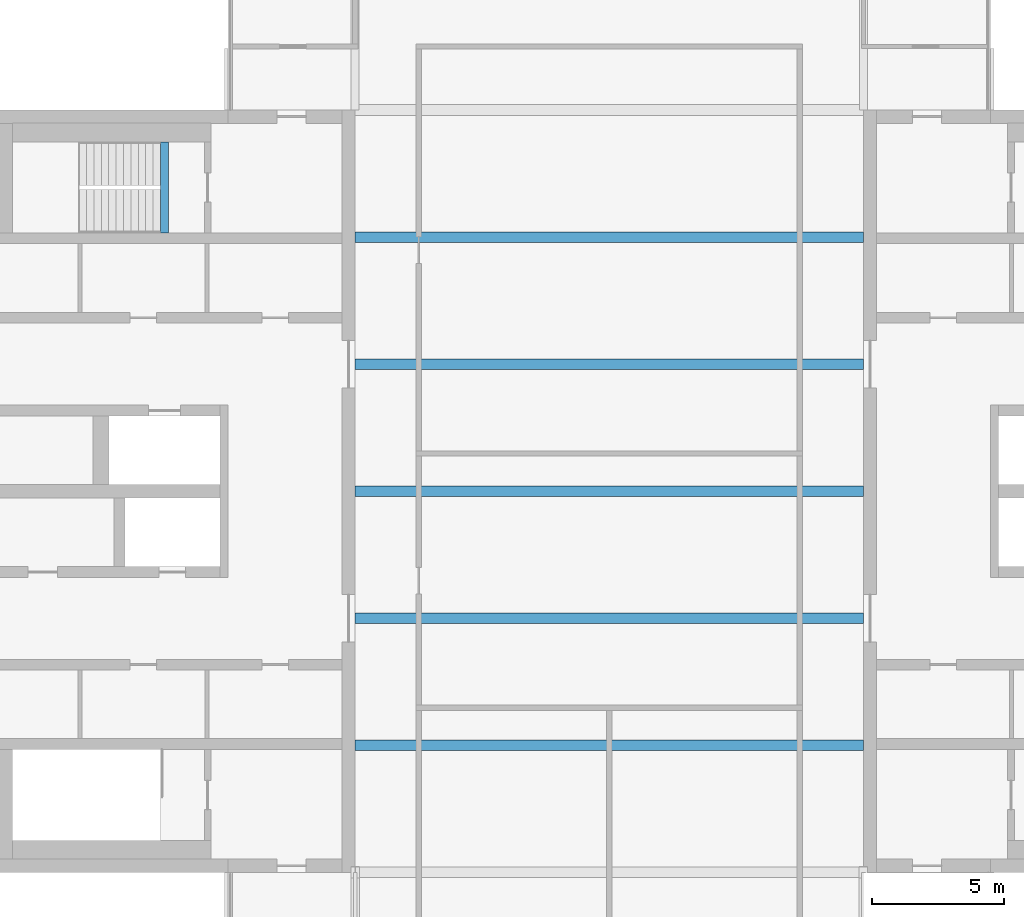
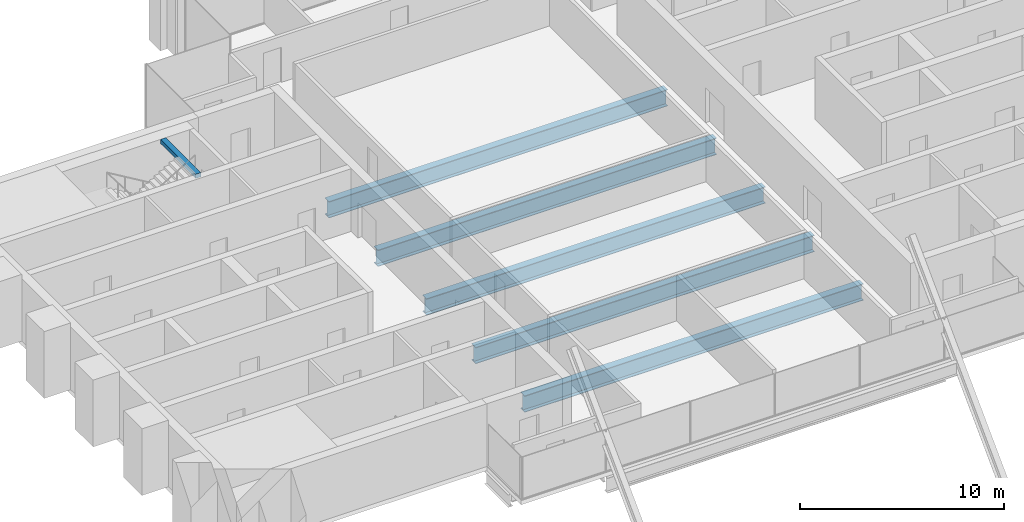
# One storey, part 3 of 11: 6 beams.
"""IFC4 building model written with IfcOpenShell, lengths in metres."""

from ifc_helpers import new_model, si_unit, direction, frame, origin, origin_2d, place, context, subcontext, project, spatial, rectangle, i_section, extrude, material, material_profile, profile_set, type_object, element, save


model = new_model("IFC4")

# Units and contexts
model_context = context("Model", 3, precision=1e-05, world=origin(), true_north=direction((0.0, 1.0)))
body_context = subcontext(model_context, "Body", "Model", "MODEL_VIEW")
ifc_project = project(units=[si_unit("LENGTHUNIT", "METRE"), si_unit("AREAUNIT", "SQUARE_METRE"), si_unit("VOLUMEUNIT", "CUBIC_METRE"), si_unit("PLANEANGLEUNIT", "RADIAN"), si_unit("MASSUNIT", "GRAM", prefix="KILO")], contexts=[model_context])

# Site, building, storey
site_placement = place(None, origin())
site = spatial("IfcSite", under=ifc_project, at=site_placement, CompositionType="ELEMENT")
building_placement = place(site_placement, origin())
building = spatial("IfcBuilding", under=site, at=building_placement, Name="Baori Bourse Tower", CompositionType="ELEMENT")
storey_placement = place(building_placement, frame((0.0, 0.0, 366.300048828125)))
storey = spatial("IfcBuildingStorey", under=building, at=storey_placement, Name="L82", CompositionType="ELEMENT", Elevation=366.300048828125)

# Beams
ifc_material_1 = material(Name="Steel A992 Gr 50", Category="steel")
ifc_material_profile_1 = material_profile(ifc_material_1, i_section(OverallWidth=0.4013671875, OverallDepth=0.990478515625, WebThickness=0.0166015625, FlangeThickness=0.031005859375, at=origin_2d()), Name="W40x215")
ifc_profile_set_1 = profile_set([ifc_material_profile_1], Name="Steel A992 Gr 50")
beam_type_1 = type_object("IfcBeamType", Name="Floor beam W40x215", PredefinedType="BEAM", material=ifc_profile_set_1)
for number, where, z_axis, x_axis, name in (
    (1, (19.199951171875, 14.39990234375, -0.745361328125), (1.0, 0.0, 0.0), (0.0, 1.0, 0.0), "Floor beam L82"),
    (2, (19.199951171875, 19.199951171875, -0.745361328125), (1.0, 0.0, 0.0), (0.0, 1.0, 0.0), "Floor beam L82"),
    (3, (19.199951171875, 24.0, -0.745361328125), (1.0, 0.0, 0.0), (0.0, 1.0, 0.0), "Floor beam L82"),
    (4, (19.199951171875, 28.800048828125, -0.745361328125), (1.0, 0.0, 0.0), (0.0, 1.0, 0.0), "Floor beam L82"),
    (5, (19.199951171875, 33.60009765625, -0.745361328125), (1.0, 0.0, 0.0), (0.0, 1.0, 0.0), "Floor beam L82"),
):
    element("IfcBeam", number, at=place(storey_placement, frame(where, z_axis=z_axis, x_axis=x_axis)), inside=storey, type_object=beam_type_1, Name=name, PredefinedType="BEAM", context=body_context, shape_type="SweptSolid", body=[
        extrude(i_section(OverallWidth=0.4013671875, OverallDepth=0.990478515625, WebThickness=0.0166015625, FlangeThickness=0.031005859375, at=origin_2d()), origin(), (0.0, 0.0, 1.0), 19.199951171875),
    ])
ifc_material_2 = material(Name="Concrete f'c 50 MPa", Category="concrete")
ifc_material_profile_2 = material_profile(ifc_material_2, rectangle(XDim=0.300048828125, YDim=0.25, at=origin_2d()), Name="RC 300x250")
ifc_profile_set_2 = profile_set([ifc_material_profile_2], Name="Concrete f'c 50 MPa")
beam_type_2 = type_object("IfcBeamType", Name="Stair nib beam RC 300x250", PredefinedType="BEAM", material=ifc_profile_set_2)
beam_placement = place(storey_placement, frame((12.0, 33.75, 3.625), z_axis=(0.0, 1.0, 0.0), x_axis=(-1.0, 0.0, 0.0)))
element("IfcBeam", 6, at=beam_placement, inside=storey, type_object=beam_type_2, Name="Stair WB nib beam L83", PredefinedType="BEAM", context=body_context, shape_type="SweptSolid", body=[
    extrude(rectangle(XDim=0.300048828125, YDim=0.25, at=origin_2d()), origin(), (0.0, 0.0, 1.0), 3.449951171875),
])

save(model, "model.ifc")
